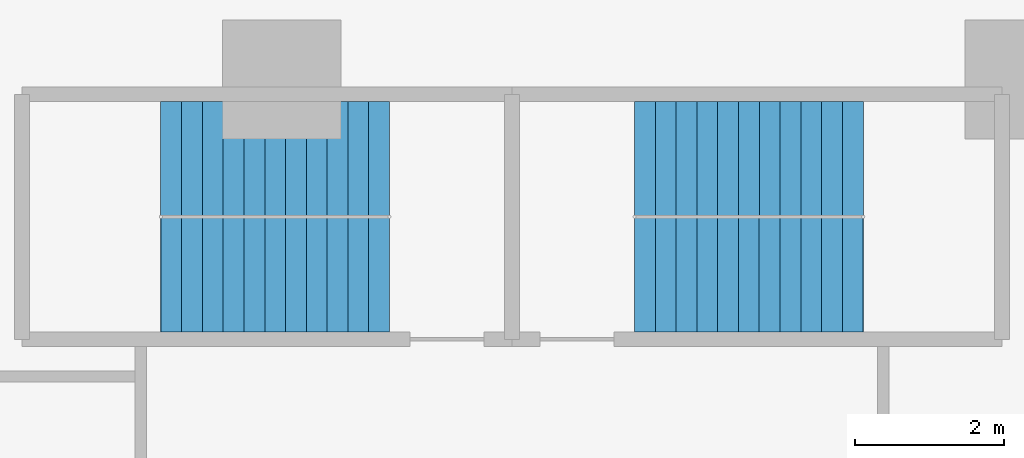
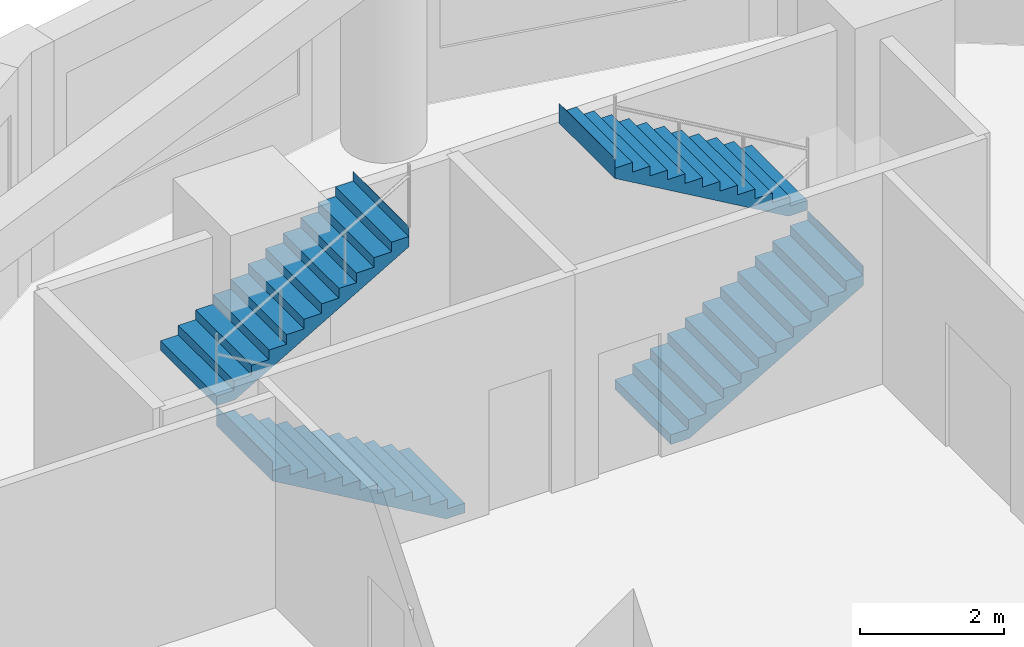
# One storey, part 8 of 10: 4 stair flights, 2 elements without a shape of their own.
"""IFC4 building model written with IfcOpenShell, lengths in metres."""

from ifc_helpers import new_model, si_unit, direction, frame, origin, place, context, subcontext, project, spatial, polyline, outline, extrude, material, type_object, element, aggregate, save


model = new_model("IFC4")

# Units and contexts
model_context = context("Model", 3, precision=1e-05, world=origin(), true_north=direction((0.0, 1.0)))
body_context = subcontext(model_context, "Body", "Model", "MODEL_VIEW")
ifc_project = project(units=[si_unit("LENGTHUNIT", "METRE"), si_unit("AREAUNIT", "SQUARE_METRE"), si_unit("VOLUMEUNIT", "CUBIC_METRE"), si_unit("PLANEANGLEUNIT", "RADIAN"), si_unit("MASSUNIT", "GRAM", prefix="KILO")], contexts=[model_context])

# Site, building, storey
site_placement = place(None, origin())
site = spatial("IfcSite", under=ifc_project, at=site_placement, CompositionType="ELEMENT")
building_placement = place(site_placement, origin())
building = spatial("IfcBuilding", under=site, at=building_placement, Name="Qaws Garden Tower", CompositionType="ELEMENT")
storey_placement = place(building_placement, frame((0.0, 0.0, 97.800048828125)))
storey = spatial("IfcBuildingStorey", under=building, at=storey_placement, Name="L24", CompositionType="ELEMENT", Elevation=97.800048828125)

# Stair, stair flights
ifc_material_1 = material(Name="Concrete C40", Category="concrete")
stair_type = type_object("IfcStairType", Name="Exit stair 1350", PredefinedType="HALF_TURN_STAIR", material=ifc_material_1)
placement = place(storey_placement, origin())
stair_1 = element("IfcStair", 1, at=placement, inside=storey, type_object=stair_type, Name="Stair 6", PredefinedType="HALF_TURN_STAIR")
ifc_material_2 = material(Name="Concrete C40", Category="concrete")
stair_flight_type = type_object("IfcStairFlightType", Name="Stair flight 1350", PredefinedType="STRAIGHT", material=ifc_material_2)
stair_flight_1_placement = place(storey_placement, frame((11.449951171875, 67.375, 0.0), z_axis=(0.0, 0.0, 1.0), x_axis=(-1.0, 0.0, 0.0)))
stair_flight_1 = element("IfcStairFlight", 2, at=stair_flight_1_placement, type_object=stair_flight_type, Name="ST6 flight 1", NumberOfRisers=12, NumberOfTreads=11, PredefinedType="STRAIGHT", RiserHeight=0.1625, TreadLength=0.28, context=body_context, shape_type="SweptSolid", body=[
    extrude(outline(polyline([(-0.0029296875, 0.0), (-0.0029296875, 0.16259765625), (0.0, 0.16259765625), (0.280029296875, 0.16259765625), (0.280029296875, 0.324951171875), (0.56005859375, 0.324951171875), (0.56005859375, 0.487548828125), (0.840087890625, 0.487548828125), (0.840087890625, 0.64990234375), (1.1201171875, 0.64990234375), (1.1201171875, 0.8125), (1.39990234375, 0.8125), (1.39990234375, 0.97509765625), (1.679931640625, 0.97509765625), (1.679931640625, 1.137451171875), (1.9599609375, 1.137451171875), (1.9599609375, 1.300048828125), (2.239990234375, 1.300048828125), (2.239990234375, 1.46240234375), (2.52001953125, 1.46240234375), (2.52001953125, 1.625), (2.800048828125, 1.625), (2.800048828125, 1.78759765625), (3.080078125, 1.78759765625), (3.080078125, 1.949951171875), (3.0830078125, 1.949951171875), (3.0830078125, 1.6142578125), (3.080078125, 1.6142578125), (0.298583984375, 0.0), (-0.0029296875, 0.0)])), frame((0.0, 0.77490234375, 0.0), z_axis=(0.0, -1.0, 0.0), x_axis=(1.0, 0.0, 0.0)), (0.0, 0.0, 1.0), 1.550048828125),
])
stair_flight_2_placement = place(storey_placement, frame((8.3701171875, 68.925048828125, 1.949951171875), z_axis=(0.0, 0.0, 1.0), x_axis=(1.0, 0.0, 0.0)))
stair_flight_2 = element("IfcStairFlight", 3, at=stair_flight_2_placement, type_object=stair_flight_type, Name="ST6 flight 2", NumberOfRisers=12, NumberOfTreads=11, PredefinedType="STRAIGHT", RiserHeight=0.1625, TreadLength=0.28, context=body_context, shape_type="SweptSolid", body=[
    extrude(outline(polyline([(-0.0029296875, 0.0), (-0.0029296875, 0.16259765625), (0.0, 0.16259765625), (0.280029296875, 0.16259765625), (0.280029296875, 0.324951171875), (0.56005859375, 0.324951171875), (0.56005859375, 0.487548828125), (0.840087890625, 0.487548828125), (0.840087890625, 0.64990234375), (1.1201171875, 0.64990234375), (1.1201171875, 0.8125), (1.39990234375, 0.8125), (1.39990234375, 0.97509765625), (1.679931640625, 0.97509765625), (1.679931640625, 1.137451171875), (1.9599609375, 1.137451171875), (1.9599609375, 1.300048828125), (2.239990234375, 1.300048828125), (2.239990234375, 1.46240234375), (2.52001953125, 1.46240234375), (2.52001953125, 1.625), (2.800048828125, 1.625), (2.800048828125, 1.78759765625), (3.080078125, 1.78759765625), (3.080078125, 1.949951171875), (3.0830078125, 1.949951171875), (3.0830078125, 1.6142578125), (3.080078125, 1.6142578125), (0.298583984375, 0.0), (-0.0029296875, 0.0)])), frame((0.0, 0.77490234375, 0.0), z_axis=(0.0, -1.0, 0.0), x_axis=(1.0, 0.0, 0.0)), (0.0, 0.0, 1.0), 1.550048828125),
])
aggregate(stair_1, [stair_flight_1, stair_flight_2])

stair_2 = element("IfcStair", 4, at=placement, inside=storey, type_object=stair_type, Name="Stair 7", PredefinedType="HALF_TURN_STAIR")
stair_flight_3_placement = place(storey_placement, frame((14.75, 67.375, 0.0), z_axis=(0.0, 0.0, 1.0), x_axis=(1.0, 0.0, 0.0)))
stair_flight_3 = element("IfcStairFlight", 5, at=stair_flight_3_placement, type_object=stair_flight_type, Name="ST7 flight 1", NumberOfRisers=12, NumberOfTreads=11, PredefinedType="STRAIGHT", RiserHeight=0.1625, TreadLength=0.28, context=body_context, shape_type="SweptSolid", body=[
    extrude(outline(polyline([(-0.0029296875, 0.0), (-0.0029296875, 0.16259765625), (0.0, 0.16259765625), (0.280029296875, 0.16259765625), (0.280029296875, 0.324951171875), (0.56005859375, 0.324951171875), (0.56005859375, 0.487548828125), (0.840087890625, 0.487548828125), (0.840087890625, 0.64990234375), (1.1201171875, 0.64990234375), (1.1201171875, 0.8125), (1.39990234375, 0.8125), (1.39990234375, 0.97509765625), (1.679931640625, 0.97509765625), (1.679931640625, 1.137451171875), (1.9599609375, 1.137451171875), (1.9599609375, 1.300048828125), (2.239990234375, 1.300048828125), (2.239990234375, 1.46240234375), (2.52001953125, 1.46240234375), (2.52001953125, 1.625), (2.800048828125, 1.625), (2.800048828125, 1.78759765625), (3.080078125, 1.78759765625), (3.080078125, 1.949951171875), (3.0830078125, 1.949951171875), (3.0830078125, 1.6142578125), (3.080078125, 1.6142578125), (0.298583984375, 0.0), (-0.0029296875, 0.0)])), frame((0.0, 0.77490234375, 0.0), z_axis=(0.0, -1.0, 0.0), x_axis=(1.0, 0.0, 0.0)), (0.0, 0.0, 1.0), 1.550048828125),
])
stair_flight_4_placement = place(storey_placement, frame((17.830078125, 68.925048828125, 1.949951171875), z_axis=(0.0, 0.0, 1.0), x_axis=(-1.0, 0.0, 0.0)))
stair_flight_4 = element("IfcStairFlight", 6, at=stair_flight_4_placement, type_object=stair_flight_type, Name="ST7 flight 2", NumberOfRisers=12, NumberOfTreads=11, PredefinedType="STRAIGHT", RiserHeight=0.1625, TreadLength=0.28, context=body_context, shape_type="SweptSolid", body=[
    extrude(outline(polyline([(-0.0029296875, 0.0), (-0.0029296875, 0.16259765625), (0.0, 0.16259765625), (0.280029296875, 0.16259765625), (0.280029296875, 0.324951171875), (0.56005859375, 0.324951171875), (0.56005859375, 0.487548828125), (0.840087890625, 0.487548828125), (0.840087890625, 0.64990234375), (1.1201171875, 0.64990234375), (1.1201171875, 0.8125), (1.39990234375, 0.8125), (1.39990234375, 0.97509765625), (1.679931640625, 0.97509765625), (1.679931640625, 1.137451171875), (1.9599609375, 1.137451171875), (1.9599609375, 1.300048828125), (2.239990234375, 1.300048828125), (2.239990234375, 1.46240234375), (2.52001953125, 1.46240234375), (2.52001953125, 1.625), (2.800048828125, 1.625), (2.800048828125, 1.78759765625), (3.080078125, 1.78759765625), (3.080078125, 1.949951171875), (3.0830078125, 1.949951171875), (3.0830078125, 1.6142578125), (3.080078125, 1.6142578125), (0.298583984375, 0.0), (-0.0029296875, 0.0)])), frame((0.0, 0.77490234375, 0.0), z_axis=(0.0, -1.0, 0.0), x_axis=(1.0, 0.0, 0.0)), (0.0, 0.0, 1.0), 1.550048828125),
])
aggregate(stair_2, [stair_flight_3, stair_flight_4])

save(model, "model.ifc")
